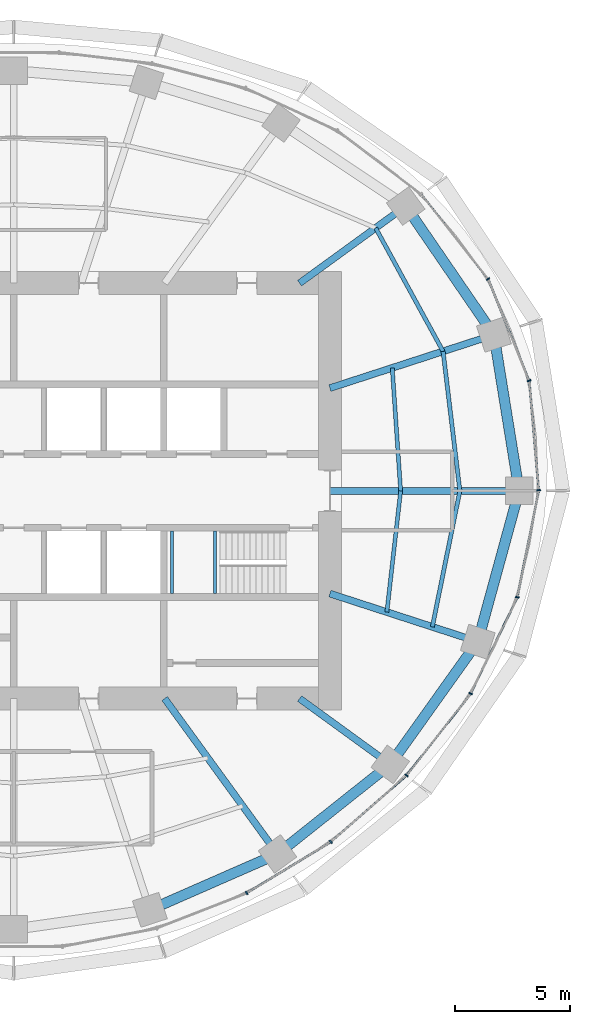
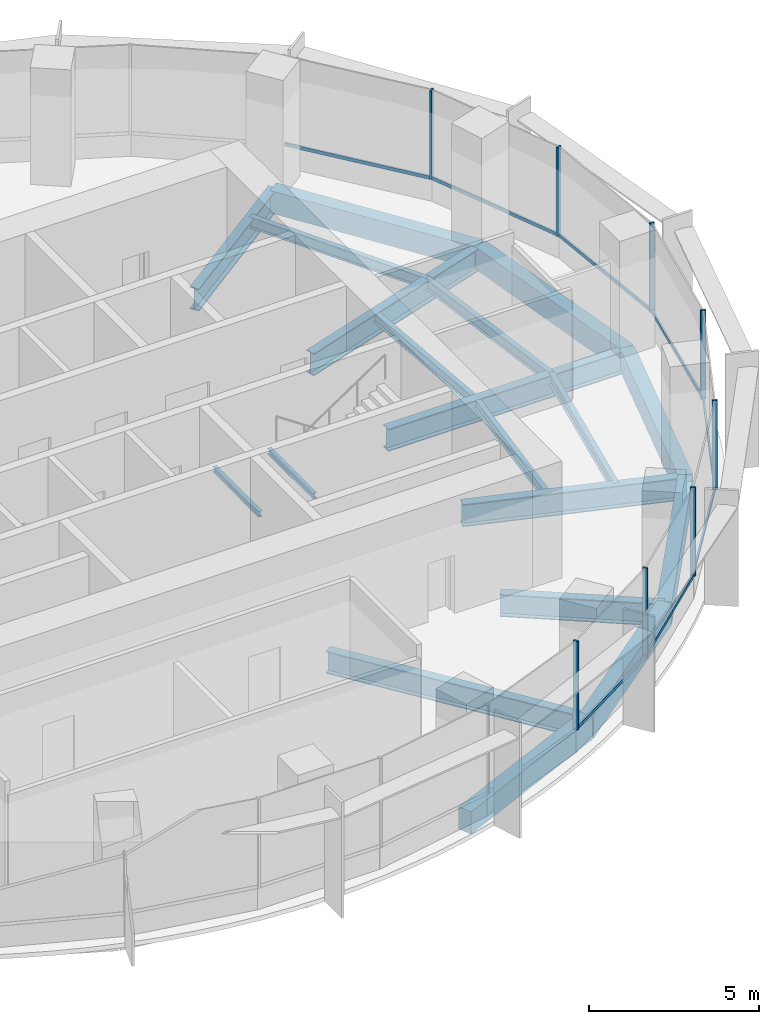
# One storey, part 5 of 13: 19 beams, 16 members, 2 elements without a shape of their own.
"""IFC4 building model written with IfcOpenShell, lengths in metres."""

from ifc_helpers import new_model, si_unit, direction, frame, origin, origin_2d, place, context, subcontext, project, spatial, rectangle, i_section, extrude, material, material_profile, profile_set, type_object, element, aggregate, save


model = new_model("IFC4")

# Units and contexts
model_context = context("Model", 3, precision=1e-05, world=origin(), true_north=direction((0.0, 1.0)))
body_context = subcontext(model_context, "Body", "Model", "MODEL_VIEW")
ifc_project = project(units=[si_unit("LENGTHUNIT", "METRE"), si_unit("AREAUNIT", "SQUARE_METRE"), si_unit("VOLUMEUNIT", "CUBIC_METRE"), si_unit("PLANEANGLEUNIT", "RADIAN"), si_unit("MASSUNIT", "GRAM", prefix="KILO")], contexts=[model_context])

# Site, building, storey
site_placement = place(None, origin())
site = spatial("IfcSite", under=ifc_project, at=site_placement, CompositionType="ELEMENT")
building_placement = place(site_placement, origin())
building = spatial("IfcBuilding", under=site, at=building_placement, Name="Marramba Exchange Tower", CompositionType="ELEMENT")
storey_placement = place(building_placement, frame((0.0, 0.0, 272.800048828125)))
storey = spatial("IfcBuildingStorey", under=building, at=storey_placement, Name="L66", CompositionType="ELEMENT", Elevation=272.800048828125)

# Curtain wall, members
ifc_material_1 = material(Name="Aluminium framing, bronze anodised", Category="aluminium")
curtain_wall_type = type_object("IfcCurtainWallType", Name="Executive floor ribbon curtain wall", PredefinedType="USERDEFINED", material=ifc_material_1)
curtain_wall_1_placement = place(storey_placement, origin())
curtain_wall_1 = element("IfcCurtainWall", 1, at=curtain_wall_1_placement, inside=storey, type_object=curtain_wall_type, Name="Curtain wall CW5 L66 F01-F05", ObjectType="RIBBON CURTAIN WALL", PredefinedType="USERDEFINED")
ifc_material_2 = material(Name="Aluminium mullion, bronze anodised", Category="aluminium")
ifc_material_profile_1 = material_profile(ifc_material_2, rectangle(XDim=0.159912109375, YDim=0.06005859375, at=origin_2d()), Name="CW5 mullion 60x160")
ifc_profile_set_1 = profile_set([ifc_material_profile_1], Name="Aluminium mullion, bronze anodised")
member_type_1 = type_object("IfcMemberType", Name="Executive floor ribbon curtain wall mullion", PredefinedType="MULLION", material=ifc_profile_set_1)
member_1_placement = place(storey_placement, frame((22.747314453125, 0.02978515625, 0.800048828125), z_axis=(0.0, 0.0, 1.0), x_axis=(-0.996331816632, -0.085574009881, 0.0)))
member_1 = element("IfcMember", 2, at=member_1_placement, type_object=member_type_1, Name="CW5 mullion 1", PredefinedType="MULLION", context=body_context, shape_type="SweptSolid", body=[
    extrude(rectangle(XDim=0.159912109375, YDim=0.06005859375, at=origin_2d()), origin(), (0.0, 0.0, 1.0), 3.199951171875),
])
member_2_placement = place(storey_placement, frame((22.330810546875, 4.77685546875, 0.800048828125), z_axis=(0.0, 0.0, 1.0), x_axis=(-0.927838139977, -0.372983090774, 0.0)))
member_2 = element("IfcMember", 3, at=member_2_placement, type_object=member_type_1, Name="CW5 mullion 1", PredefinedType="MULLION", context=body_context, shape_type="SweptSolid", body=[
    extrude(rectangle(XDim=0.159912109375, YDim=0.06005859375, at=origin_2d()), origin(), (0.0, 0.0, 1.0), 3.199951171875),
])
member_3_placement = place(storey_placement, frame((20.551025390625, 9.181884765625, 0.800048828125), z_axis=(0.0, 0.0, 1.0), x_axis=(-0.786002861604, -0.618222857512, 0.0)))
member_3 = element("IfcMember", 4, at=member_3_placement, type_object=member_type_1, Name="CW5 mullion 1", PredefinedType="MULLION", context=body_context, shape_type="SweptSolid", body=[
    extrude(rectangle(XDim=0.159912109375, YDim=0.06005859375, at=origin_2d()), origin(), (0.0, 0.0, 1.0), 3.199951171875),
])

curtain_wall_2_placement = place(storey_placement, origin())
curtain_wall_2 = element("IfcCurtainWall", 5, at=curtain_wall_2_placement, inside=storey, type_object=curtain_wall_type, Name="Curtain wall CW5 L66 F26-F30", ObjectType="RIBBON CURTAIN WALL", PredefinedType="USERDEFINED")
member_4_placement = place(storey_placement, frame((10.09619140625, -17.42724609375, 0.800048828125), z_axis=(0.0, 0.0, 1.0), x_axis=(-0.519115121209, 0.854704329539, 0.0)))
member_4 = element("IfcMember", 6, at=member_4_placement, type_object=member_type_1, Name="CW5 mullion 1", PredefinedType="MULLION", context=body_context, shape_type="SweptSolid", body=[
    extrude(rectangle(XDim=0.159912109375, YDim=0.06005859375, at=origin_2d()), origin(), (0.0, 0.0, 1.0), 3.199951171875),
])
member_5_placement = place(storey_placement, frame((13.736083984375, -15.21044921875, 0.800048828125), z_axis=(0.0, 0.0, 1.0), x_axis=(-0.658305290779, 0.752751050569, 0.0)))
member_5 = element("IfcMember", 7, at=member_5_placement, type_object=member_type_1, Name="CW5 mullion 1", PredefinedType="MULLION", context=body_context, shape_type="SweptSolid", body=[
    extrude(rectangle(XDim=0.159912109375, YDim=0.06005859375, at=origin_2d()), origin(), (0.0, 0.0, 1.0), 3.199951171875),
])
member_6_placement = place(storey_placement, frame((17.021484375, -12.329833984375, 0.800048828125), z_axis=(0.0, 0.0, 1.0), x_axis=(-0.78594954734, 0.618290634763, 0.0)))
member_6 = element("IfcMember", 8, at=member_6_placement, type_object=member_type_1, Name="CW5 mullion 1", PredefinedType="MULLION", context=body_context, shape_type="SweptSolid", body=[
    extrude(rectangle(XDim=0.159912109375, YDim=0.06005859375, at=origin_2d()), origin(), (0.0, 0.0, 1.0), 3.199951171875),
])
member_7_placement = place(storey_placement, frame((19.802978515625, -8.783935546875, 0.800048828125), z_axis=(0.0, 0.0, 1.0), x_axis=(-0.89969718031, 0.436514585945, 0.0)))
member_7 = element("IfcMember", 9, at=member_7_placement, type_object=member_type_1, Name="CW5 mullion 1", PredefinedType="MULLION", context=body_context, shape_type="SweptSolid", body=[
    extrude(rectangle(XDim=0.159912109375, YDim=0.06005859375, at=origin_2d()), origin(), (0.0, 0.0, 1.0), 3.199951171875),
])
member_8_placement = place(storey_placement, frame((21.82080078125, -4.607421875, 0.800048828125), z_axis=(0.0, 0.0, 1.0), x_axis=(-0.980268514856, 0.19767053089, 0.0)))
member_8 = element("IfcMember", 10, at=member_8_placement, type_object=member_type_1, Name="CW5 mullion 1", PredefinedType="MULLION", context=body_context, shape_type="SweptSolid", body=[
    extrude(rectangle(XDim=0.159912109375, YDim=0.06005859375, at=origin_2d()), origin(), (0.0, 0.0, 1.0), 3.199951171875),
])

# Member
ifc_material_3 = material(Name="Aluminium transom, bronze anodised", Category="aluminium")
ifc_material_profile_2 = material_profile(ifc_material_3, rectangle(XDim=0.06005859375, YDim=0.1201171875, at=origin_2d()), Name="CW5 transom 60x120")
ifc_profile_set_2 = profile_set([ifc_material_profile_2], Name="Aluminium transom, bronze anodised")
member_type_2 = type_object("IfcMemberType", Name="Executive floor ribbon curtain wall transom", PredefinedType="USERDEFINED", material=ifc_profile_set_2)
member_9_placement = place(storey_placement, frame((22.744873046875, 0.059814453125, 0.829833984375), z_axis=(-0.085590935521, 0.99633036276, 0.0), x_axis=(-0.99633036276, -0.085590935521, 0.0)))
member_9 = element("IfcMember", 11, at=member_9_placement, type_object=member_type_2, Name="CW5 sill transom", ObjectType="TRANSOM", PredefinedType="USERDEFINED", context=body_context, shape_type="SweptSolid", body=[
    extrude(rectangle(XDim=0.06005859375, YDim=0.1201171875, at=origin_2d()), origin(), (0.0, 0.0, 1.0), 4.70654296875),
])

member_10_placement = place(storey_placement, frame((22.31982421875, 4.8046875, 0.829833984375), z_axis=(-0.37301385018, 0.927825774364, 0.0), x_axis=(-0.927825774364, -0.37301385018, 0.0)))
member_10 = element("IfcMember", 12, at=member_10_placement, type_object=member_type_2, Name="CW5 sill transom", ObjectType="TRANSOM", PredefinedType="USERDEFINED", context=body_context, shape_type="SweptSolid", body=[
    extrude(rectangle(XDim=0.06005859375, YDim=0.1201171875, at=origin_2d()), origin(), (0.0, 0.0, 1.0), 4.692138671875),
])

member_11_placement = place(storey_placement, frame((20.532470703125, 9.205322265625, 0.829833984375), z_axis=(-0.618203819414, 0.78601783546, 0.0), x_axis=(-0.78601783546, -0.618203819414, 0.0)))
member_11 = element("IfcMember", 13, at=member_11_placement, type_object=member_type_2, Name="CW5 sill transom", ObjectType="TRANSOM", PredefinedType="USERDEFINED", context=body_context, shape_type="SweptSolid", body=[
    extrude(rectangle(XDim=0.06005859375, YDim=0.1201171875, at=origin_2d()), origin(), (0.0, 0.0, 1.0), 4.625),
])

aggregate(curtain_wall_1, [member_1, member_9, member_2, member_10, member_3, member_11])

member_12_placement = place(storey_placement, frame((10.121826171875, -17.41162109375, 0.829833984375), z_axis=(0.854701897511, 0.519119125434, 0.0), x_axis=(-0.519119125434, 0.854701897511, 0.0)))
member_12 = element("IfcMember", 14, at=member_12_placement, type_object=member_type_2, Name="CW5 sill transom", ObjectType="TRANSOM", PredefinedType="USERDEFINED", context=body_context, shape_type="SweptSolid", body=[
    extrude(rectangle(XDim=0.06005859375, YDim=0.1201171875, at=origin_2d()), origin(), (0.0, 0.0, 1.0), 4.2021484375),
])

member_13_placement = place(storey_placement, frame((13.758544921875, -15.19091796875, 0.829833984375), z_axis=(0.752741590247, 0.658316108198, 0.0), x_axis=(-0.658316108198, 0.752741590247, 0.0)))
member_13 = element("IfcMember", 15, at=member_13_placement, type_object=member_type_2, Name="CW5 sill transom", ObjectType="TRANSOM", PredefinedType="USERDEFINED", context=body_context, shape_type="SweptSolid", body=[
    extrude(rectangle(XDim=0.06005859375, YDim=0.1201171875, at=origin_2d()), origin(), (0.0, 0.0, 1.0), 4.31005859375),
])

member_14_placement = place(storey_placement, frame((17.0400390625, -12.30615234375, 0.829833984375), z_axis=(0.618320881677, 0.785925751762, 0.0), x_axis=(-0.785925751762, 0.618320881677, 0.0)))
member_14 = element("IfcMember", 16, at=member_14_placement, type_object=member_type_2, Name="CW5 sill transom", ObjectType="TRANSOM", PredefinedType="USERDEFINED", context=body_context, shape_type="SweptSolid", body=[
    extrude(rectangle(XDim=0.06005859375, YDim=0.1201171875, at=origin_2d()), origin(), (0.0, 0.0, 1.0), 4.447021484375),
])

member_15_placement = place(storey_placement, frame((19.81591796875, -8.757080078125, 0.829833984375), z_axis=(0.436519399678, 0.899694844769, 0.0), x_axis=(-0.899694844769, 0.436519399678, 0.0)))
member_15 = element("IfcMember", 17, at=member_15_placement, type_object=member_type_2, Name="CW5 sill transom", ObjectType="TRANSOM", PredefinedType="USERDEFINED", context=body_context, shape_type="SweptSolid", body=[
    extrude(rectangle(XDim=0.06005859375, YDim=0.1201171875, at=origin_2d()), origin(), (0.0, 0.0, 1.0), 4.579345703125),
])

member_16_placement = place(storey_placement, frame((21.826904296875, -4.578125, 0.829833984375), z_axis=(0.197654002556, 0.980271847639, 0.0), x_axis=(-0.980271847639, 0.197654002556, 0.0)))
member_16 = element("IfcMember", 18, at=member_16_placement, type_object=member_type_2, Name="CW5 sill transom", ObjectType="TRANSOM", PredefinedType="USERDEFINED", context=body_context, shape_type="SweptSolid", body=[
    extrude(rectangle(XDim=0.06005859375, YDim=0.1201171875, at=origin_2d()), origin(), (0.0, 0.0, 1.0), 4.670166015625),
])

aggregate(curtain_wall_2, [member_4, member_12, member_5, member_13, member_6, member_14, member_7, member_15, member_8, member_16])

# Beams
ifc_material_4 = material(Name="Steel AS/NZS 3679.1 grade 300", Category="steel")
ifc_material_profile_3 = material_profile(ifc_material_4, i_section(OverallWidth=0.1708984375, OverallDepth=0.35595703125, WebThickness=0.00732421875, FlangeThickness=0.011474609375, FilletRadius=0.011474609375, at=origin_2d()), Name="360UB50.7")
ifc_profile_set_3 = profile_set([ifc_material_profile_3], Name="Steel AS/NZS 3679.1 grade 300")
beam_type_1 = type_object("IfcBeamType", Name="Floor joist 360UB50.7", PredefinedType="JOIST", material=ifc_profile_set_3)
beam_1_placement = place(storey_placement, frame((16.7666015625, 0.0, -0.338134765625), z_axis=(-0.068096259546, 0.99767875563, 0.0), x_axis=(-0.99767875563, -0.068096259546, 0.0)))
element("IfcBeam", 19, at=beam_1_placement, inside=storey, type_object=beam_type_1, Name="Joist L66 bay 01 row 1", PredefinedType="JOIST", context=body_context, shape_type="SweptSolid", body=[
    extrude(i_section(OverallWidth=0.1708984375, OverallDepth=0.35595703125, WebThickness=0.00732421875, FlangeThickness=0.011474609375, FilletRadius=0.011474609375, at=origin_2d()), origin(), (0.0, 0.0, 1.0), 5.342041015625),
])
beam_2_placement = place(storey_placement, frame((16.169677734375, -5.25390625, -0.338134765625), z_axis=(0.112888968594, 0.993607609054, 0.0), x_axis=(-0.993607609054, 0.112888968594, 0.0)))
element("IfcBeam", 20, at=beam_2_placement, inside=storey, type_object=beam_type_1, Name="Joist L66 bay 20 row 1", PredefinedType="JOIST", context=body_context, shape_type="SweptSolid", body=[
    extrude(i_section(OverallWidth=0.1708984375, OverallDepth=0.35595703125, WebThickness=0.00732421875, FlangeThickness=0.011474609375, FilletRadius=0.011474609375, at=origin_2d()), origin(), (0.0, 0.0, 1.0), 5.28759765625),
])
ifc_material_profile_4 = material_profile(ifc_material_4, i_section(OverallWidth=0.177978515625, OverallDepth=0.403076171875, WebThickness=0.007568359375, FlangeThickness=0.010986328125, FilletRadius=0.011474609375, at=origin_2d()), Name="410UB53.7")
ifc_profile_set_4 = profile_set([ifc_material_profile_4], Name="Steel AS/NZS 3679.1 grade 300")
beam_type_2 = type_object("IfcBeamType", Name="Floor joist 410UB53.7", PredefinedType="JOIST", material=ifc_profile_set_4)
beam_3_placement = place(storey_placement, frame((19.333251953125, 0.0, -0.361572265625), z_axis=(-0.119523078538, 0.992831422597, 0.0), x_axis=(-0.992831422597, -0.119523078538, 0.0)))
element("IfcBeam", 21, at=beam_3_placement, inside=storey, type_object=beam_type_2, Name="Joist L66 bay 01 row 2", PredefinedType="JOIST", context=body_context, shape_type="SweptSolid", body=[
    extrude(i_section(OverallWidth=0.177978515625, OverallDepth=0.403076171875, WebThickness=0.007568359375, FlangeThickness=0.010986328125, FilletRadius=0.011474609375, at=origin_2d()), origin(), (0.0, 0.0, 1.0), 6.089111328125),
])
beam_4_placement = place(storey_placement, frame((18.60546875, 6.04541015625, -0.361572265625), z_axis=(-0.479584443791, 0.877495732909, 0.0), x_axis=(-0.877495732909, -0.479584443791, 0.0)))
element("IfcBeam", 22, at=beam_4_placement, inside=storey, type_object=beam_type_2, Name="Joist L66 bay 02 row 2", PredefinedType="JOIST", context=body_context, shape_type="SweptSolid", body=[
    extrude(i_section(OverallWidth=0.177978515625, OverallDepth=0.403076171875, WebThickness=0.007568359375, FlangeThickness=0.010986328125, FilletRadius=0.011474609375, at=origin_2d()), origin(), (0.0, 0.0, 1.0), 6.094970703125),
])
beam_5_placement = place(storey_placement, frame((18.1396484375, -5.893798828125, -0.361572265625), z_axis=(0.198489047047, 0.980103105904, 0.0), x_axis=(-0.980103105904, 0.198489047047, 0.0)))
element("IfcBeam", 23, at=beam_5_placement, inside=storey, type_object=beam_type_2, Name="Joist L66 bay 20 row 2", PredefinedType="JOIST", context=body_context, shape_type="SweptSolid", body=[
    extrude(i_section(OverallWidth=0.177978515625, OverallDepth=0.403076171875, WebThickness=0.007568359375, FlangeThickness=0.010986328125, FilletRadius=0.011474609375, at=origin_2d()), origin(), (0.0, 0.0, 1.0), 6.013427734375),
])
ifc_material_5 = material(Name="Steel AS/NZS 3679.2 grade 300", Category="steel")
ifc_material_profile_5 = material_profile(ifc_material_5, i_section(OverallWidth=0.300048828125, OverallDepth=0.800048828125, WebThickness=0.013916015625, FlangeThickness=0.031982421875, at=origin_2d()), Name="800WB192")
ifc_profile_set_5 = profile_set([ifc_material_profile_5], Name="Steel AS/NZS 3679.2 grade 300")
beam_type_3 = type_object("IfcBeamType", Name="Radial girder 800WB192", PredefinedType="BEAM", material=ifc_profile_set_5)
beam_6_placement = place(storey_placement, frame((13.699951171875, 0.0, -0.56005859375), z_axis=(1.0, 0.0, 0.0), x_axis=(0.0, 1.0, 0.0)))
element("IfcBeam", 24, at=beam_6_placement, inside=storey, type_object=beam_type_3, Name="Radial girder L66 TC01", PredefinedType="BEAM", context=body_context, shape_type="SweptSolid", body=[
    extrude(i_section(OverallWidth=0.300048828125, OverallDepth=0.800048828125, WebThickness=0.013916015625, FlangeThickness=0.031982421875, at=origin_2d()), origin(), (0.0, 0.0, 1.0), 8.199951171875),
])
beam_7_placement = place(storey_placement, frame((13.699951171875, 4.451416015625, -0.56005859375), z_axis=(0.951059990189, 0.309006302624, 0.0), x_axis=(-0.309006302624, 0.951059990189, 0.0)))
element("IfcBeam", 25, at=beam_7_placement, inside=storey, type_object=beam_type_3, Name="Radial girder L66 TC02", PredefinedType="BEAM", context=body_context, shape_type="SweptSolid", body=[
    extrude(i_section(OverallWidth=0.300048828125, OverallDepth=0.800048828125, WebThickness=0.013916015625, FlangeThickness=0.031982421875, at=origin_2d()), origin(), (0.0, 0.0, 1.0), 7.47412109375),
])
beam_8_placement = place(storey_placement, frame((12.387451171875, 9.0, -0.56005859375), z_axis=(0.809025746925, 0.587773205252, 0.0), x_axis=(-0.587773205252, 0.809025746925, 0.0)))
element("IfcBeam", 26, at=beam_8_placement, inside=storey, type_object=beam_type_3, Name="Radial girder L66 TC03", PredefinedType="BEAM", context=body_context, shape_type="SweptSolid", body=[
    extrude(i_section(OverallWidth=0.300048828125, OverallDepth=0.800048828125, WebThickness=0.013916015625, FlangeThickness=0.031982421875, at=origin_2d()), origin(), (0.0, 0.0, 1.0), 5.683837890625),
])
beam_9_placement = place(storey_placement, frame((6.538818359375, -9.0, -0.56005859375), z_axis=(0.587787877172, -0.809015087282, 0.0), x_axis=(0.809015087282, 0.587787877172, 0.0)))
element("IfcBeam", 27, at=beam_9_placement, inside=storey, type_object=beam_type_3, Name="Radial girder L66 TC18", PredefinedType="BEAM", context=body_context, shape_type="SweptSolid", body=[
    extrude(i_section(OverallWidth=0.300048828125, OverallDepth=0.800048828125, WebThickness=0.013916015625, FlangeThickness=0.031982421875, at=origin_2d()), origin(), (0.0, 0.0, 1.0), 8.322021484375),
])
beam_10_placement = place(storey_placement, frame((12.387451171875, -9.0, -0.56005859375), z_axis=(0.809025189606, -0.58777397236, 0.0), x_axis=(0.58777397236, 0.809025189606, 0.0)))
element("IfcBeam", 28, at=beam_10_placement, inside=storey, type_object=beam_type_3, Name="Radial girder L66 TC19", PredefinedType="BEAM", context=body_context, shape_type="SweptSolid", body=[
    extrude(i_section(OverallWidth=0.300048828125, OverallDepth=0.800048828125, WebThickness=0.013916015625, FlangeThickness=0.031982421875, at=origin_2d()), origin(), (0.0, 0.0, 1.0), 4.855224609375),
])
beam_11_placement = place(storey_placement, frame((13.699951171875, -4.451416015625, -0.56005859375), z_axis=(0.951057759669, -0.309013167637, 0.0), x_axis=(0.309013167637, 0.951057759669, 0.0)))
element("IfcBeam", 29, at=beam_11_placement, inside=storey, type_object=beam_type_3, Name="Radial girder L66 TC20", PredefinedType="BEAM", context=body_context, shape_type="SweptSolid", body=[
    extrude(i_section(OverallWidth=0.300048828125, OverallDepth=0.800048828125, WebThickness=0.013916015625, FlangeThickness=0.031982421875, at=origin_2d()), origin(), (0.0, 0.0, 1.0), 6.7392578125),
])
ifc_material_6 = material(Name="Concrete N50", Category="concrete")
ifc_material_profile_6 = material_profile(ifc_material_6, rectangle(XDim=0.449951171875, YDim=0.800048828125, at=origin_2d()), Name="RC 450x800")
ifc_profile_set_6 = profile_set([ifc_material_profile_6], Name="Concrete N50")
beam_type_4 = type_object("IfcBeamType", Name="Ring beam RC 450x800 N50", PredefinedType="SPANDREL", material=ifc_profile_set_6)
beam_12_placement = place(storey_placement, frame((21.89990234375, 0.0, -0.56005859375), z_axis=(-0.159384865399, 0.987216523708, 0.0), x_axis=(-0.987216523708, -0.159384865399, 0.0)))
element("IfcBeam", 30, at=beam_12_placement, inside=storey, type_object=beam_type_4, Name="Ring beam L66 TC01-TC02", PredefinedType="SPANDREL", context=body_context, shape_type="SweptSolid", body=[
    extrude(rectangle(XDim=0.449951171875, YDim=0.800048828125, at=origin_2d()), origin(), (0.0, 0.0, 1.0), 6.8486328125),
])
beam_13_placement = place(storey_placement, frame((20.808349609375, 6.760986328125, -0.56005859375), z_axis=(-0.56516002054, 0.824981303535, 0.0), x_axis=(-0.824981303535, -0.56516002054, 0.0)))
element("IfcBeam", 31, at=beam_13_placement, inside=storey, type_object=beam_type_4, Name="Ring beam L66 TC02-TC03", PredefinedType="SPANDREL", context=body_context, shape_type="SweptSolid", body=[
    extrude(rectangle(XDim=0.449951171875, YDim=0.800048828125, at=origin_2d()), origin(), (0.0, 0.0, 1.0), 6.763671875),
])
beam_14_placement = place(storey_placement, frame((5.899658203125, -18.156982421875, -0.56005859375), z_axis=(0.915876892158, 0.4014592363, 0.0), x_axis=(-0.4014592363, 0.915876892158, 0.0)))
element("IfcBeam", 32, at=beam_14_placement, inside=storey, type_object=beam_type_4, Name="Ring beam L66 TC17-TC18", PredefinedType="SPANDREL", context=body_context, shape_type="SweptSolid", body=[
    extrude(rectangle(XDim=0.449951171875, YDim=0.800048828125, at=origin_2d()), origin(), (0.0, 0.0, 1.0), 6.038818359375),
])
beam_15_placement = place(storey_placement, frame((11.430419921875, -15.732666015625, -0.56005859375), z_axis=(0.783139438128, 0.621846138887, 0.0), x_axis=(-0.621846138887, 0.783139438128, 0.0)))
element("IfcBeam", 33, at=beam_15_placement, inside=storey, type_object=beam_type_4, Name="Ring beam L66 TC18-TC19", PredefinedType="SPANDREL", context=body_context, shape_type="SweptSolid", body=[
    extrude(rectangle(XDim=0.449951171875, YDim=0.800048828125, at=origin_2d()), origin(), (0.0, 0.0, 1.0), 6.23779296875),
])
beam_16_placement = place(storey_placement, frame((16.3154296875, -11.853759765625, -0.56005859375), z_axis=(0.580637181111, 0.814162430914, 0.0), x_axis=(-0.814162430914, 0.580637181111, 0.0)))
element("IfcBeam", 34, at=beam_16_placement, inside=storey, type_object=beam_type_4, Name="Ring beam L66 TC19-TC20", PredefinedType="SPANDREL", context=body_context, shape_type="SweptSolid", body=[
    extrude(rectangle(XDim=0.449951171875, YDim=0.800048828125, at=origin_2d()), origin(), (0.0, 0.0, 1.0), 6.5341796875),
])
beam_17_placement = place(storey_placement, frame((20.109375, -6.533935546875, -0.56005859375), z_axis=(0.264291166956, 0.964442937176, 0.0), x_axis=(-0.964442937176, 0.264291166956, 0.0)))
element("IfcBeam", 35, at=beam_17_placement, inside=storey, type_object=beam_type_4, Name="Ring beam L66 TC20-TC01", PredefinedType="SPANDREL", context=body_context, shape_type="SweptSolid", body=[
    extrude(rectangle(XDim=0.449951171875, YDim=0.800048828125, at=origin_2d()), origin(), (0.0, 0.0, 1.0), 6.77490234375),
])
ifc_material_profile_7 = material_profile(ifc_material_4, i_section(OverallWidth=0.133056640625, OverallDepth=0.202880859375, WebThickness=0.005859375, FlangeThickness=0.0078125, FilletRadius=0.0087890625, at=origin_2d()), Name="200UB25.4")
ifc_profile_set_7 = profile_set([ifc_material_profile_7], Name="Steel AS/NZS 3679.1 grade 300")
beam_type_5 = type_object("IfcBeamType", Name="Stair landing beam 200UB25.4", PredefinedType="BEAM", material=ifc_profile_set_7)
for number, where, z_axis, x_axis, name in (
    (36, (6.866455078125, -4.449951171875, 1.79833984375), (0.0, 1.0, 0.0), (-1.0, 0.0, 0.0), "Stair landing beam SLB1 ST2 L66 1"),
    (37, (8.723388671875, -4.449951171875, 1.79833984375), (0.0, 1.0, 0.0), (-1.0, 0.0, 0.0), "Stair landing beam SLB1 ST2 L66 2"),
):
    element("IfcBeam", number, at=place(storey_placement, frame(where, z_axis=z_axis, x_axis=x_axis)), inside=storey, type_object=beam_type_5, Name=name, PredefinedType="BEAM", context=body_context, shape_type="SweptSolid", body=[
        extrude(i_section(OverallWidth=0.133056640625, OverallDepth=0.202880859375, WebThickness=0.005859375, FlangeThickness=0.0078125, FilletRadius=0.0087890625, at=origin_2d()), origin(), (0.0, 0.0, 1.0), 2.699951171875),
    ])

save(model, "model.ifc")
